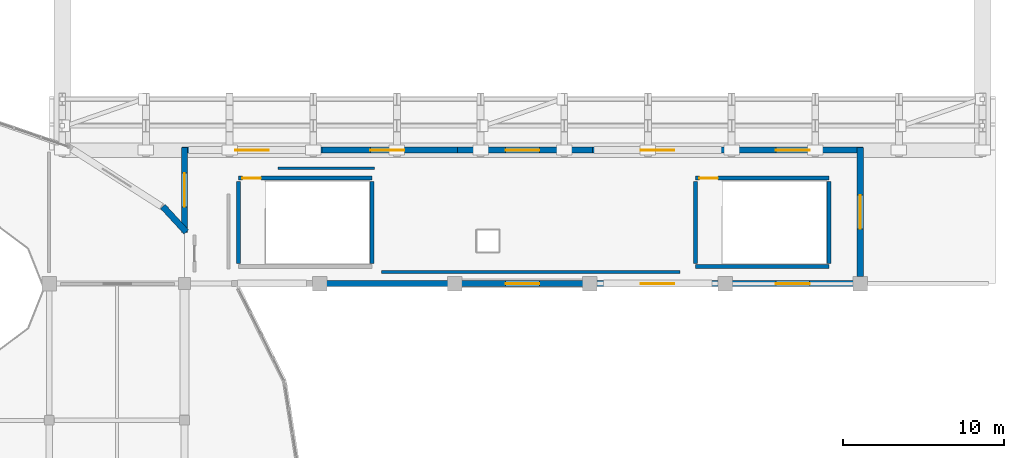
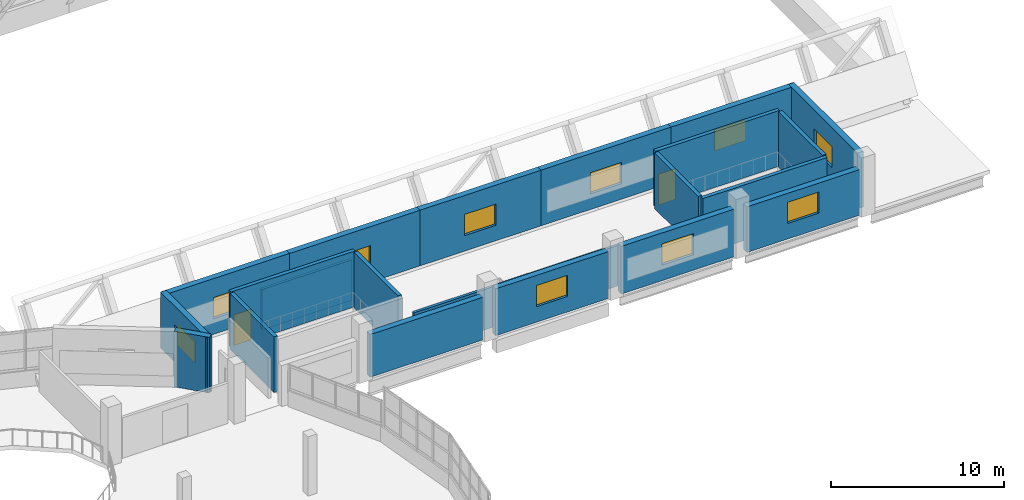
# One storey, part 40 of 52: 21 walls, 10 windows, 2 doors, 12 openings.
"""IFC4 building model written with IfcOpenShell, lengths in metres."""

from ifc_helpers import new_model, si_unit, direction, frame, frame_2d, origin, place, context, subcontext, project, spatial, rectangle, extrude, material, layer, layer_set, type_object, element, fill, save


model = new_model("IFC4")

# Units and contexts
model_context = context("Model", 3, precision=1e-05, world=origin(), true_north=direction((0.0, 1.0)))
body_context = subcontext(model_context, "Body", "Model", "MODEL_VIEW")
ifc_project = project(units=[si_unit("LENGTHUNIT", "METRE"), si_unit("AREAUNIT", "SQUARE_METRE"), si_unit("VOLUMEUNIT", "CUBIC_METRE"), si_unit("PLANEANGLEUNIT", "RADIAN"), si_unit("MASSUNIT", "GRAM", prefix="KILO")], contexts=[model_context])

# Site, building, storey
site_placement = place(None, origin())
site = spatial("IfcSite", under=ifc_project, at=site_placement, CompositionType="ELEMENT")
building_placement = place(site_placement, origin())
building = spatial("IfcBuilding", under=site, at=building_placement, Name="Solvento Point Concert Hall", CompositionType="ELEMENT")
storey_placement = place(building_placement, frame((0.0, 0.0, 19.5)))
storey = spatial("IfcBuildingStorey", under=building, at=storey_placement, Name="L04", CompositionType="ELEMENT", Elevation=19.5)

# Walls
ifc_material_1 = material(Name="Acoustic Double-Stud Gypsum Partition")
ifc_layer_1 = layer(ifc_material_1, 0.179931640625)
ifc_layer_set_1 = layer_set([ifc_layer_1], Name="Acoustic Double-Stud Gypsum Partition")
wall_type_1 = type_object("IfcWallType", Name="AcousticPartition_180", PredefinedType="PARTITIONING", material=ifc_layer_set_1)
wall_1_placement = place(storey_placement, frame((113.580078125, 43.219970703125, 0.0), z_axis=(0.0, 0.0, 1.0), x_axis=(-1.0, 0.0, 0.0)))
element("IfcWall", 1, at=wall_1_placement, inside=storey, type_object=wall_type_1, Name="Interior acoustic partition PW-63 L04", PredefinedType="PARTITIONING", context=body_context, shape_type="SweptSolid", body=[
    extrude(rectangle(XDim=18.5458984375, YDim=0.179931640625, at=frame_2d((9.27294921875, 0.0))), origin(), (0.0, 0.0, 1.0), 2.860107421875),
])
wall_2_placement = place(storey_placement, frame((94.6005859375, 49.669921875, 0.0), z_axis=(0.0, 0.0, 1.0), x_axis=(-1.0, 0.0, 0.0)))
element("IfcWall", 2, at=wall_2_placement, inside=storey, type_object=wall_type_1, Name="Interior acoustic partition PW-63 L04", PredefinedType="PARTITIONING", context=body_context, shape_type="SweptSolid", body=[
    extrude(rectangle(XDim=5.990966796875, YDim=0.179931640625, at=frame_2d((2.99560546875, 0.0))), origin(), (0.0, 0.0, 1.0), 2.860107421875),
])

# Wall, opening, door
ifc_material_2 = material(Name="Concrete C40/50", Category="concrete")
ifc_layer_2 = layer(ifc_material_2, 0.300048828125)
ifc_layer_set_2 = layer_set([ifc_layer_2], Name="Concrete C40/50")
wall_type_2 = type_object("IfcWallType", Name="CoreShearWall_300", PredefinedType="SHEAR", material=ifc_layer_set_2)
wall_3_placement = place(storey_placement, frame((86.14990234375, 49.050048828125, 0.0), z_axis=(0.0, 0.0, 1.0), x_axis=(1.0, 0.0, 0.0)))
wall_3 = element("IfcWall", 3, at=wall_3_placement, inside=storey, type_object=wall_type_2, Name="Stair core shear wall W-SH1 ST-06 L04", PredefinedType="SHEAR", context=body_context, shape_type="SweptSolid", body=[
    extrude(rectangle(XDim=8.300048828125, YDim=0.25, at=frame_2d((4.14990234375, 0.0))), origin(), (0.0, 0.0, 1.0), 3.93994140625),
])
opening_1_placement = place(wall_3_placement, frame((0.25, 0.0, 0.0)))
opening_1 = element("IfcOpeningElement", 4, at=opening_1_placement, cuts=wall_3, Name="Opening D-ST1", PredefinedType="OPENING", context=body_context, shape_type="SweptSolid", body=[
    extrude(rectangle(XDim=1.14990234375, YDim=2.179931640625, at=frame_2d((0.574951171875, 1.08984375))), frame((0.0, 0.135009765625, 0.0), z_axis=(0.0, -1.0, 0.0), x_axis=(1.0, 0.0, 0.0)), (0.0, 0.0, 1.0), 0.27001953125),
])
ifc_material_3 = material(Name="Hollow Metal Acoustic Fire Door")
door_type = type_object("IfcDoorType", Name="StairFireDoor_1150", OperationType="NOTDEFINED", PredefinedType="DOOR", material=ifc_material_3)
door_1_placement = place(opening_1_placement, origin())
door_1 = element("IfcDoor", 5, at=door_1_placement, inside=storey, type_object=door_type, Name="Protected exit stair door ST-06 L04", OperationType="SINGLE_SWING_RIGHT", OverallHeight=2.179931640625, OverallWidth=1.14990234375, PredefinedType="DOOR", context=body_context, shape_type="SweptSolid", body=[
    extrude(rectangle(XDim=1.14990234375, YDim=2.179931640625, at=frame_2d((0.574951171875, 1.08984375))), frame((0.0, 0.02490234375, 0.0), z_axis=(0.0, -1.0, 0.0), x_axis=(1.0, 0.0, 0.0)), (0.0, 0.0, 1.0), 0.050048828125),
])
fill(opening_1, door_1)

# Walls
for number, where, z_axis, x_axis, name in (
    (6, (86.14990234375, 43.75, 0.0), (0.0, 0.0, 1.0), (0.0, 1.0, 0.0), "Stair core shear wall W-SH1 ST-06 L04"),
    (7, (94.449951171875, 48.85009765625, 0.0), (0.0, 0.0, 1.0), (0.0, -1.0, 0.0), "Stair core shear wall W-SH1 ST-06 L04"),
):
    element("IfcWall", number, at=place(storey_placement, frame(where, z_axis=z_axis, x_axis=x_axis)), inside=storey, type_object=wall_type_2, Name=name, PredefinedType="SHEAR", context=body_context, shape_type="SweptSolid", body=[
        extrude(rectangle(XDim=5.10009765625, YDim=0.25, at=frame_2d((2.550048828125, 0.0))), origin(), (0.0, 0.0, 1.0), 3.93994140625),
    ])
wall_4_placement = place(storey_placement, frame((122.85009765625, 43.550048828125, 0.0), z_axis=(0.0, 0.0, 1.0), x_axis=(-1.0, 0.0, 0.0)))
element("IfcWall", 8, at=wall_4_placement, inside=storey, type_object=wall_type_2, Name="Stair core shear wall W-SH1 ST-07 L04", PredefinedType="SHEAR", context=body_context, shape_type="SweptSolid", body=[
    extrude(rectangle(XDim=8.300048828125, YDim=0.25, at=frame_2d((4.14990234375, 0.0))), origin(), (0.0, 0.0, 1.0), 3.93994140625),
])

# Wall, opening, door
wall_5_placement = place(storey_placement, frame((114.550048828125, 49.050048828125, 0.0), z_axis=(0.0, 0.0, 1.0), x_axis=(1.0, 0.0, 0.0)))
wall_5 = element("IfcWall", 9, at=wall_5_placement, inside=storey, type_object=wall_type_2, Name="Stair core shear wall W-SH1 ST-07 L04", PredefinedType="SHEAR", context=body_context, shape_type="SweptSolid", body=[
    extrude(rectangle(XDim=8.300048828125, YDim=0.25, at=frame_2d((4.14990234375, 0.0))), origin(), (0.0, 0.0, 1.0), 3.93994140625),
])
opening_2_placement = place(wall_5_placement, frame((0.25, 0.0, 0.0)))
opening_2 = element("IfcOpeningElement", 10, at=opening_2_placement, cuts=wall_5, Name="Opening D-ST1", PredefinedType="OPENING", context=body_context, shape_type="SweptSolid", body=[
    extrude(rectangle(XDim=1.14990234375, YDim=2.179931640625, at=frame_2d((0.574951171875, 1.08984375))), frame((0.0, 0.135009765625, 0.0), z_axis=(0.0, -1.0, 0.0), x_axis=(1.0, 0.0, 0.0)), (0.0, 0.0, 1.0), 0.27001953125),
])
door_2_placement = place(opening_2_placement, origin())
door_2 = element("IfcDoor", 11, at=door_2_placement, inside=storey, type_object=door_type, Name="Protected exit stair door ST-07 L04", OperationType="SINGLE_SWING_LEFT", OverallHeight=2.179931640625, OverallWidth=1.14990234375, PredefinedType="DOOR", context=body_context, shape_type="SweptSolid", body=[
    extrude(rectangle(XDim=1.14990234375, YDim=2.179931640625, at=frame_2d((0.574951171875, 1.08984375))), frame((0.0, 0.02490234375, 0.0), z_axis=(0.0, -1.0, 0.0), x_axis=(1.0, 0.0, 0.0)), (0.0, 0.0, 1.0), 0.050048828125),
])
fill(opening_2, door_2)

# Walls
for number, where, z_axis, x_axis, name in (
    (12, (114.550048828125, 43.75, 0.0), (0.0, 0.0, 1.0), (0.0, 1.0, 0.0), "Stair core shear wall W-SH1 ST-07 L04"),
    (13, (122.85009765625, 48.85009765625, 0.0), (0.0, 0.0, 1.0), (0.0, -1.0, 0.0), "Stair core shear wall W-SH1 ST-07 L04"),
):
    element("IfcWall", number, at=place(storey_placement, frame(where, z_axis=z_axis, x_axis=x_axis)), inside=storey, type_object=wall_type_2, Name=name, PredefinedType="SHEAR", context=body_context, shape_type="SweptSolid", body=[
        extrude(rectangle(XDim=5.10009765625, YDim=0.25, at=frame_2d((2.550048828125, 0.0))), origin(), (0.0, 0.0, 1.0), 3.93994140625),
    ])
ifc_material_4 = material(Name="Concrete C40/50", Category="concrete")
ifc_layer_3 = layer(ifc_material_4, 0.389892578125)
ifc_layer_set_3 = layer_set([ifc_layer_3], Name="Concrete C40/50")
wall_type_3 = type_object("IfcWallType", Name="ExtWall_V1_Gallery_390", PredefinedType="SOLIDWALL", material=ifc_layer_set_3)
wall_6_placement = place(storey_placement, frame((81.456298828125, 47.288330078125, 0.0), z_axis=(0.0, 0.0, 1.0), x_axis=(0.677352522066, -0.73565858987, 0.0)))
element("IfcWall", 14, at=wall_6_placement, inside=storey, type_object=wall_type_3, Name="Exterior architectural concrete wall EW-28 L04", PredefinedType="SOLIDWALL", context=body_context, shape_type="SweptSolid", body=[
    extrude(rectangle(XDim=2.143798828125, YDim=0.389892578125, at=frame_2d((1.07177734375, 0.0))), origin(), (0.0, 0.0, 1.0), 3.93994140625),
])

# Wall, opening, window
wall_7_placement = place(storey_placement, frame((82.800048828125, 45.6689453125, 0.0), z_axis=(0.0, 0.0, 1.0), x_axis=(0.0, 1.0, 0.0)))
wall_7 = element("IfcWall", 15, at=wall_7_placement, inside=storey, type_object=wall_type_3, Name="Exterior architectural concrete wall EW-28 L04", PredefinedType="SOLIDWALL", context=body_context, shape_type="SweptSolid", body=[
    extrude(rectangle(XDim=5.291015625, YDim=0.389892578125, at=frame_2d((2.6455078125, 0.0))), origin(), (0.0, 0.0, 1.0), 3.93994140625),
])
opening_3_placement = place(wall_7_placement, frame((1.595458984375, 0.0, 1.10009765625)))
opening_3 = element("IfcOpeningElement", 16, at=opening_3_placement, cuts=wall_7, Name="Opening WN-80", PredefinedType="OPENING", context=body_context, shape_type="SweptSolid", body=[
    extrude(rectangle(XDim=2.10009765625, YDim=1.5, at=frame_2d((1.050048828125, 0.75))), frame((0.0, 0.204833984375, 0.0), z_axis=(0.0, -1.0, 0.0), x_axis=(1.0, 0.0, 0.0)), (0.0, 0.0, 1.0), 0.409912109375),
])
ifc_material_5 = material(Name="Hurricane Laminated Low-E Glass", Category="glass")
window_type = type_object("IfcWindowType", Name="Win_V1_TechClerestory", PartitioningType="SINGLE_PANEL", PredefinedType="WINDOW", material=ifc_material_5)
window_1_placement = place(opening_3_placement, origin())
window_1 = element("IfcWindow", 17, at=window_1_placement, inside=storey, type_object=window_type, Name="Impact acoustic window WN-80", OverallHeight=1.5, OverallWidth=2.10009765625, PartitioningType="SINGLE_PANEL", PredefinedType="WINDOW", context=body_context, shape_type="SweptSolid", body=[
    extrude(rectangle(XDim=2.10009765625, YDim=1.5, at=frame_2d((1.050048828125, 0.75))), frame((0.0, 0.030029296875, 0.0), z_axis=(0.0, -1.0, 0.0), x_axis=(1.0, 0.0, 0.0)), (0.0, 0.0, 1.0), 0.06005859375),
])
fill(opening_3, window_1)

wall_8_placement = place(storey_placement, frame((82.639892578125, 50.800048828125, 0.0), z_axis=(0.0, 0.0, 1.0), x_axis=(1.0, 0.0, 0.0)))
wall_8 = element("IfcWall", 18, at=wall_8_placement, inside=storey, type_object=wall_type_3, Name="Exterior architectural concrete wall EW-28 L04", PredefinedType="SOLIDWALL", context=body_context, shape_type="SweptSolid", body=[
    extrude(rectangle(XDim=8.72021484375, YDim=0.389892578125, at=frame_2d((4.360107421875, 0.0))), origin(), (0.0, 0.0, 1.0), 3.93994140625),
])
opening_4_placement = place(wall_8_placement, frame((3.31005859375, 0.0, 1.10009765625)))
opening_4 = element("IfcOpeningElement", 19, at=opening_4_placement, cuts=wall_8, Name="Opening WN-80", PredefinedType="OPENING", context=body_context, shape_type="SweptSolid", body=[
    extrude(rectangle(XDim=2.10009765625, YDim=1.5, at=frame_2d((1.050048828125, 0.75))), frame((0.0, 0.204833984375, 0.0), z_axis=(0.0, -1.0, 0.0), x_axis=(1.0, 0.0, 0.0)), (0.0, 0.0, 1.0), 0.409912109375),
])
window_2_placement = place(opening_4_placement, origin())
window_2 = element("IfcWindow", 20, at=window_2_placement, inside=storey, type_object=window_type, Name="Impact acoustic window WN-80", OverallHeight=1.5, OverallWidth=2.10009765625, PartitioningType="SINGLE_PANEL", PredefinedType="WINDOW", context=body_context, shape_type="SweptSolid", body=[
    extrude(rectangle(XDim=2.10009765625, YDim=1.5, at=frame_2d((1.050048828125, 0.75))), frame((0.0, 0.030029296875, 0.0), z_axis=(0.0, -1.0, 0.0), x_axis=(1.0, 0.0, 0.0)), (0.0, 0.0, 1.0), 0.06005859375),
])
fill(opening_4, window_2)

wall_9_placement = place(storey_placement, frame((91.0400390625, 50.800048828125, 0.0), z_axis=(0.0, 0.0, 1.0), x_axis=(1.0, 0.0, 0.0)))
wall_9 = element("IfcWall", 21, at=wall_9_placement, inside=storey, type_object=wall_type_3, Name="Exterior architectural concrete wall EW-28 L04", PredefinedType="SOLIDWALL", context=body_context, shape_type="SweptSolid", body=[
    extrude(rectangle(XDim=8.719970703125, YDim=0.389892578125, at=frame_2d((4.35986328125, 0.0))), origin(), (0.0, 0.0, 1.0), 3.93994140625),
])
opening_5_placement = place(wall_9_placement, frame((3.31005859375, 0.0, 1.10009765625)))
opening_5 = element("IfcOpeningElement", 22, at=opening_5_placement, cuts=wall_9, Name="Opening WN-80", PredefinedType="OPENING", context=body_context, shape_type="SweptSolid", body=[
    extrude(rectangle(XDim=2.10009765625, YDim=1.5, at=frame_2d((1.050048828125, 0.75))), frame((0.0, 0.204833984375, 0.0), z_axis=(0.0, -1.0, 0.0), x_axis=(1.0, 0.0, 0.0)), (0.0, 0.0, 1.0), 0.409912109375),
])
window_3_placement = place(opening_5_placement, origin())
window_3 = element("IfcWindow", 23, at=window_3_placement, inside=storey, type_object=window_type, Name="Impact acoustic window WN-80", OverallHeight=1.5, OverallWidth=2.10009765625, PartitioningType="SINGLE_PANEL", PredefinedType="WINDOW", context=body_context, shape_type="SweptSolid", body=[
    extrude(rectangle(XDim=2.10009765625, YDim=1.5, at=frame_2d((1.050048828125, 0.75))), frame((0.0, 0.030029296875, 0.0), z_axis=(0.0, -1.0, 0.0), x_axis=(1.0, 0.0, 0.0)), (0.0, 0.0, 1.0), 0.06005859375),
])
fill(opening_5, window_3)

wall_10_placement = place(storey_placement, frame((99.43994140625, 50.800048828125, 0.0), z_axis=(0.0, 0.0, 1.0), x_axis=(1.0, 0.0, 0.0)))
wall_10 = element("IfcWall", 24, at=wall_10_placement, inside=storey, type_object=wall_type_3, Name="Exterior architectural concrete wall EW-28 L04", PredefinedType="SOLIDWALL", context=body_context, shape_type="SweptSolid", body=[
    extrude(rectangle(XDim=8.719970703125, YDim=0.389892578125, at=frame_2d((4.35986328125, 0.0))), origin(), (0.0, 0.0, 1.0), 3.93994140625),
])
opening_6_placement = place(wall_10_placement, frame((3.31005859375, 0.0, 1.10009765625)))
opening_6 = element("IfcOpeningElement", 25, at=opening_6_placement, cuts=wall_10, Name="Opening WN-80", PredefinedType="OPENING", context=body_context, shape_type="SweptSolid", body=[
    extrude(rectangle(XDim=2.10009765625, YDim=1.5, at=frame_2d((1.050048828125, 0.75))), frame((0.0, 0.204833984375, 0.0), z_axis=(0.0, -1.0, 0.0), x_axis=(1.0, 0.0, 0.0)), (0.0, 0.0, 1.0), 0.409912109375),
])
window_4_placement = place(opening_6_placement, origin())
window_4 = element("IfcWindow", 26, at=window_4_placement, inside=storey, type_object=window_type, Name="Impact acoustic window WN-80", OverallHeight=1.5, OverallWidth=2.10009765625, PartitioningType="SINGLE_PANEL", PredefinedType="WINDOW", context=body_context, shape_type="SweptSolid", body=[
    extrude(rectangle(XDim=2.10009765625, YDim=1.5, at=frame_2d((1.050048828125, 0.75))), frame((0.0, 0.030029296875, 0.0), z_axis=(0.0, -1.0, 0.0), x_axis=(1.0, 0.0, 0.0)), (0.0, 0.0, 1.0), 0.06005859375),
])
fill(opening_6, window_4)

wall_11_placement = place(storey_placement, frame((107.840087890625, 50.800048828125, 0.0), z_axis=(0.0, 0.0, 1.0), x_axis=(1.0, 0.0, 0.0)))
wall_11 = element("IfcWall", 27, at=wall_11_placement, inside=storey, type_object=wall_type_3, Name="Exterior architectural concrete wall EW-28 L04", PredefinedType="SOLIDWALL", context=body_context, shape_type="SweptSolid", body=[
    extrude(rectangle(XDim=8.719970703125, YDim=0.389892578125, at=frame_2d((4.35986328125, 0.0))), origin(), (0.0, 0.0, 1.0), 3.93994140625),
])
opening_7_placement = place(wall_11_placement, frame((3.31005859375, 0.0, 1.10009765625)))
opening_7 = element("IfcOpeningElement", 28, at=opening_7_placement, cuts=wall_11, Name="Opening WN-80", PredefinedType="OPENING", context=body_context, shape_type="SweptSolid", body=[
    extrude(rectangle(XDim=2.10009765625, YDim=1.5, at=frame_2d((1.050048828125, 0.75))), frame((0.0, 0.204833984375, 0.0), z_axis=(0.0, -1.0, 0.0), x_axis=(1.0, 0.0, 0.0)), (0.0, 0.0, 1.0), 0.409912109375),
])
window_5_placement = place(opening_7_placement, origin())
window_5 = element("IfcWindow", 29, at=window_5_placement, inside=storey, type_object=window_type, Name="Impact acoustic window WN-80", OverallHeight=1.5, OverallWidth=2.10009765625, PartitioningType="SINGLE_PANEL", PredefinedType="WINDOW", context=body_context, shape_type="SweptSolid", body=[
    extrude(rectangle(XDim=2.10009765625, YDim=1.5, at=frame_2d((1.050048828125, 0.75))), frame((0.0, 0.030029296875, 0.0), z_axis=(0.0, -1.0, 0.0), x_axis=(1.0, 0.0, 0.0)), (0.0, 0.0, 1.0), 0.06005859375),
])
fill(opening_7, window_5)

wall_12_placement = place(storey_placement, frame((116.239990234375, 50.800048828125, 0.0), z_axis=(0.0, 0.0, 1.0), x_axis=(1.0, 0.0, 0.0)))
wall_12 = element("IfcWall", 30, at=wall_12_placement, inside=storey, type_object=wall_type_3, Name="Exterior architectural concrete wall EW-28 L04", PredefinedType="SOLIDWALL", context=body_context, shape_type="SweptSolid", body=[
    extrude(rectangle(XDim=8.719970703125, YDim=0.389892578125, at=frame_2d((4.35986328125, 0.0))), origin(), (0.0, 0.0, 1.0), 3.93994140625),
])
opening_8_placement = place(wall_12_placement, frame((3.31005859375, 0.0, 1.10009765625)))
opening_8 = element("IfcOpeningElement", 31, at=opening_8_placement, cuts=wall_12, Name="Opening WN-80", PredefinedType="OPENING", context=body_context, shape_type="SweptSolid", body=[
    extrude(rectangle(XDim=2.10009765625, YDim=1.5, at=frame_2d((1.050048828125, 0.75))), frame((0.0, 0.204833984375, 0.0), z_axis=(0.0, -1.0, 0.0), x_axis=(1.0, 0.0, 0.0)), (0.0, 0.0, 1.0), 0.409912109375),
])
window_6_placement = place(opening_8_placement, origin())
window_6 = element("IfcWindow", 32, at=window_6_placement, inside=storey, type_object=window_type, Name="Impact acoustic window WN-80", OverallHeight=1.5, OverallWidth=2.10009765625, PartitioningType="SINGLE_PANEL", PredefinedType="WINDOW", context=body_context, shape_type="SweptSolid", body=[
    extrude(rectangle(XDim=2.10009765625, YDim=1.5, at=frame_2d((1.050048828125, 0.75))), frame((0.0, 0.030029296875, 0.0), z_axis=(0.0, -1.0, 0.0), x_axis=(1.0, 0.0, 0.0)), (0.0, 0.0, 1.0), 0.06005859375),
])
fill(opening_8, window_6)

wall_13_placement = place(storey_placement, frame((124.800048828125, 50.9599609375, 0.0), z_axis=(0.0, 0.0, 1.0), x_axis=(0.0, -1.0, 0.0)))
wall_13 = element("IfcWall", 33, at=wall_13_placement, inside=storey, type_object=wall_type_3, Name="Exterior architectural concrete wall EW-28 L04", PredefinedType="SOLIDWALL", context=body_context, shape_type="SweptSolid", body=[
    extrude(rectangle(XDim=8.030029296875, YDim=0.389892578125, at=frame_2d((4.01513671875, 0.0))), origin(), (0.0, 0.0, 1.0), 3.93994140625),
])
opening_9_placement = place(wall_13_placement, frame((2.965087890625, 0.0, 1.10009765625)))
opening_9 = element("IfcOpeningElement", 34, at=opening_9_placement, cuts=wall_13, Name="Opening WN-80", PredefinedType="OPENING", context=body_context, shape_type="SweptSolid", body=[
    extrude(rectangle(XDim=2.10009765625, YDim=1.5, at=frame_2d((1.050048828125, 0.75))), frame((0.0, 0.204833984375, 0.0), z_axis=(0.0, -1.0, 0.0), x_axis=(1.0, 0.0, 0.0)), (0.0, 0.0, 1.0), 0.409912109375),
])
window_7_placement = place(opening_9_placement, origin())
window_7 = element("IfcWindow", 35, at=window_7_placement, inside=storey, type_object=window_type, Name="Impact acoustic window WN-80", OverallHeight=1.5, OverallWidth=2.10009765625, PartitioningType="SINGLE_PANEL", PredefinedType="WINDOW", context=body_context, shape_type="SweptSolid", body=[
    extrude(rectangle(XDim=2.10009765625, YDim=1.5, at=frame_2d((1.050048828125, 0.75))), frame((0.0, 0.030029296875, 0.0), z_axis=(0.0, -1.0, 0.0), x_axis=(1.0, 0.0, 0.0)), (0.0, 0.0, 1.0), 0.06005859375),
])
fill(opening_9, window_7)

# Wall
wall_14_placement = place(storey_placement, frame((99.169921875, 42.5, 0.0), z_axis=(0.0, 0.0, 1.0), x_axis=(-1.0, 0.0, 0.0)))
element("IfcWall", 36, at=wall_14_placement, inside=storey, type_object=wall_type_3, Name="Exterior architectural concrete wall EW-28 L04", PredefinedType="SOLIDWALL", context=body_context, shape_type="SweptSolid", body=[
    extrude(rectangle(XDim=7.5400390625, YDim=0.389892578125, at=frame_2d((3.77001953125, 0.0))), origin(), (0.0, 0.0, 1.0), 3.02392578125),
])

# Wall, opening, window
wall_15_placement = place(storey_placement, frame((107.570068359375, 42.5, 0.0), z_axis=(0.0, 0.0, 1.0), x_axis=(-1.0, 0.0, 0.0)))
wall_15 = element("IfcWall", 37, at=wall_15_placement, inside=storey, type_object=wall_type_3, Name="Exterior architectural concrete wall EW-28 L04", PredefinedType="SOLIDWALL", context=body_context, shape_type="SweptSolid", body=[
    extrude(rectangle(XDim=7.5400390625, YDim=0.389892578125, at=frame_2d((3.77001953125, 0.0))), origin(), (0.0, 0.0, 1.0), 3.31591796875),
])
opening_10_placement = place(wall_15_placement, frame((2.719970703125, 0.0, 1.10009765625)))
opening_10 = element("IfcOpeningElement", 38, at=opening_10_placement, cuts=wall_15, Name="Opening WN-80", PredefinedType="OPENING", context=body_context, shape_type="SweptSolid", body=[
    extrude(rectangle(XDim=2.10009765625, YDim=1.5, at=frame_2d((1.050048828125, 0.75))), frame((0.0, 0.204833984375, 0.0), z_axis=(0.0, -1.0, 0.0), x_axis=(1.0, 0.0, 0.0)), (0.0, 0.0, 1.0), 0.409912109375),
])
window_8_placement = place(opening_10_placement, origin())
window_8 = element("IfcWindow", 39, at=window_8_placement, inside=storey, type_object=window_type, Name="Impact acoustic window WN-80", OverallHeight=1.5, OverallWidth=2.10009765625, PartitioningType="SINGLE_PANEL", PredefinedType="WINDOW", context=body_context, shape_type="SweptSolid", body=[
    extrude(rectangle(XDim=2.10009765625, YDim=1.5, at=frame_2d((1.050048828125, 0.75))), frame((0.0, 0.030029296875, 0.0), z_axis=(0.0, -1.0, 0.0), x_axis=(1.0, 0.0, 0.0)), (0.0, 0.0, 1.0), 0.06005859375),
])
fill(opening_10, window_8)

wall_16_placement = place(storey_placement, frame((115.969970703125, 42.5, 0.0), z_axis=(0.0, 0.0, 1.0), x_axis=(-1.0, 0.0, 0.0)))
wall_16 = element("IfcWall", 40, at=wall_16_placement, inside=storey, type_object=wall_type_3, Name="Exterior architectural concrete wall EW-28 L04", PredefinedType="SOLIDWALL", context=body_context, shape_type="SweptSolid", body=[
    extrude(rectangle(XDim=7.5400390625, YDim=0.389892578125, at=frame_2d((3.77001953125, 0.0))), origin(), (0.0, 0.0, 1.0), 3.375),
])
opening_11_placement = place(wall_16_placement, frame((2.719970703125, 0.0, 1.10009765625)))
opening_11 = element("IfcOpeningElement", 41, at=opening_11_placement, cuts=wall_16, Name="Opening WN-80", PredefinedType="OPENING", context=body_context, shape_type="SweptSolid", body=[
    extrude(rectangle(XDim=2.10009765625, YDim=1.5, at=frame_2d((1.050048828125, 0.75))), frame((0.0, 0.204833984375, 0.0), z_axis=(0.0, -1.0, 0.0), x_axis=(1.0, 0.0, 0.0)), (0.0, 0.0, 1.0), 0.409912109375),
])
window_9_placement = place(opening_11_placement, origin())
window_9 = element("IfcWindow", 42, at=window_9_placement, inside=storey, type_object=window_type, Name="Impact acoustic window WN-80", OverallHeight=1.5, OverallWidth=2.10009765625, PartitioningType="SINGLE_PANEL", PredefinedType="WINDOW", context=body_context, shape_type="SweptSolid", body=[
    extrude(rectangle(XDim=2.10009765625, YDim=1.5, at=frame_2d((1.050048828125, 0.75))), frame((0.0, 0.030029296875, 0.0), z_axis=(0.0, -1.0, 0.0), x_axis=(1.0, 0.0, 0.0)), (0.0, 0.0, 1.0), 0.06005859375),
])
fill(opening_11, window_9)

wall_17_placement = place(storey_placement, frame((124.3701171875, 42.5, 0.0), z_axis=(0.0, 0.0, 1.0), x_axis=(-1.0, 0.0, 0.0)))
wall_17 = element("IfcWall", 43, at=wall_17_placement, inside=storey, type_object=wall_type_3, Name="Exterior architectural concrete wall EW-28 L04", PredefinedType="SOLIDWALL", context=body_context, shape_type="SweptSolid", body=[
    extrude(rectangle(XDim=7.5400390625, YDim=0.389892578125, at=frame_2d((3.77001953125, 0.0))), origin(), (0.0, 0.0, 1.0), 3.23095703125),
])
opening_12_placement = place(wall_17_placement, frame((2.719970703125, 0.0, 1.10009765625)))
opening_12 = element("IfcOpeningElement", 44, at=opening_12_placement, cuts=wall_17, Name="Opening WN-80", PredefinedType="OPENING", context=body_context, shape_type="SweptSolid", body=[
    extrude(rectangle(XDim=2.10009765625, YDim=1.5, at=frame_2d((1.050048828125, 0.75))), frame((0.0, 0.204833984375, 0.0), z_axis=(0.0, -1.0, 0.0), x_axis=(1.0, 0.0, 0.0)), (0.0, 0.0, 1.0), 0.409912109375),
])
window_10_placement = place(opening_12_placement, origin())
window_10 = element("IfcWindow", 45, at=window_10_placement, inside=storey, type_object=window_type, Name="Impact acoustic window WN-80", OverallHeight=1.5, OverallWidth=2.10009765625, PartitioningType="SINGLE_PANEL", PredefinedType="WINDOW", context=body_context, shape_type="SweptSolid", body=[
    extrude(rectangle(XDim=2.10009765625, YDim=1.5, at=frame_2d((1.050048828125, 0.75))), frame((0.0, 0.030029296875, 0.0), z_axis=(0.0, -1.0, 0.0), x_axis=(1.0, 0.0, 0.0)), (0.0, 0.0, 1.0), 0.06005859375),
])
fill(opening_12, window_10)

save(model, "model.ifc")
